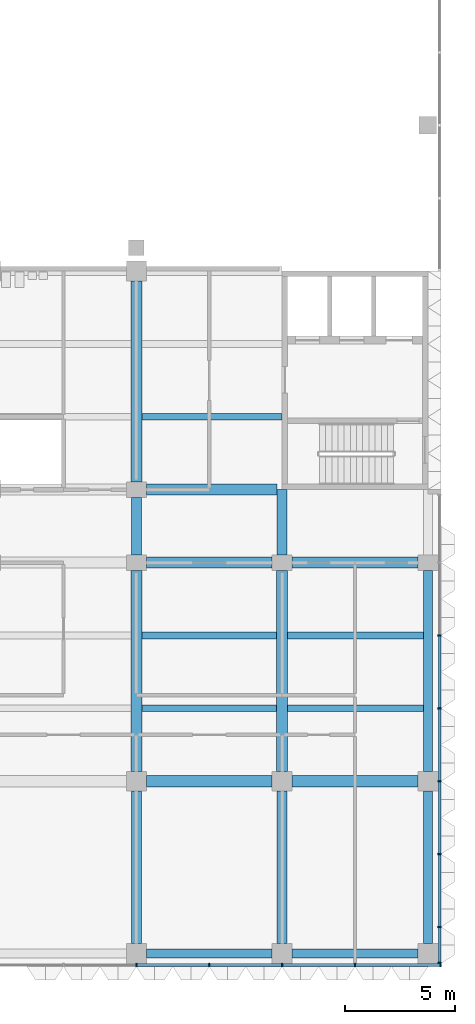
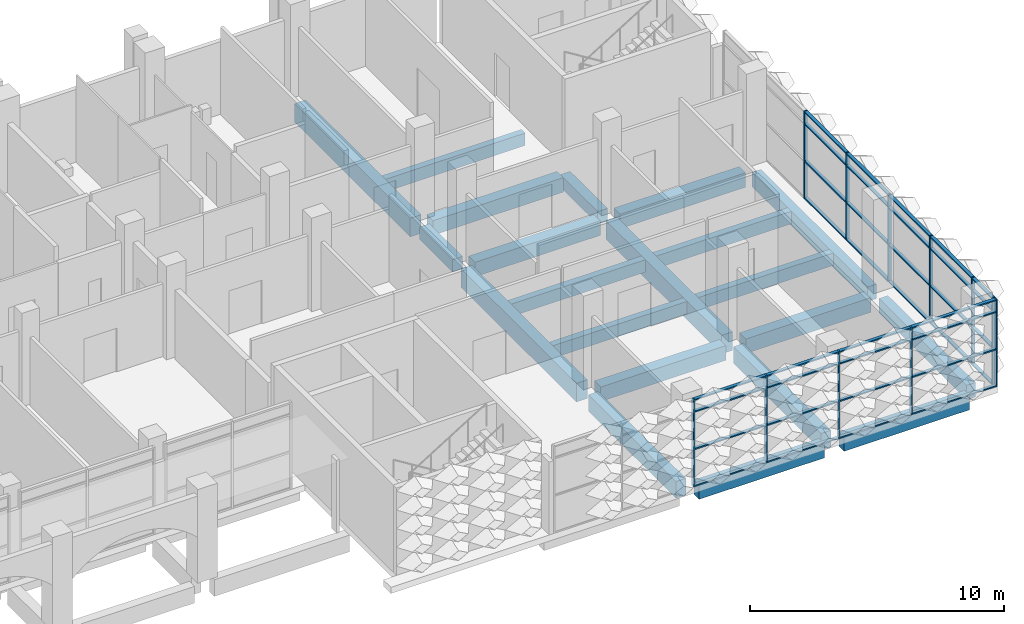
# One storey, part 13 of 87: 47 members, 21 beams, 2 elements without a shape of their own.
"""IFC4 building model written with IfcOpenShell, lengths in metres."""

from ifc_helpers import new_model, si_unit, direction, frame, origin, origin_2d, place, context, subcontext, project, spatial, rectangle, extrude, material, material_profile, profile_set, type_object, element, aggregate, save


model = new_model("IFC4")

# Units and contexts
model_context = context("Model", 3, precision=1e-05, world=origin(), true_north=direction((0.0, 1.0)))
body_context = subcontext(model_context, "Body", "Model", "MODEL_VIEW")
ifc_project = project(units=[si_unit("LENGTHUNIT", "METRE"), si_unit("AREAUNIT", "SQUARE_METRE"), si_unit("VOLUMEUNIT", "CUBIC_METRE"), si_unit("PLANEANGLEUNIT", "RADIAN"), si_unit("MASSUNIT", "GRAM", prefix="KILO")], contexts=[model_context])

# Site, building, storey
site_placement = place(None, origin())
site = spatial("IfcSite", under=ifc_project, at=site_placement, CompositionType="ELEMENT")
building_placement = place(site_placement, origin())
building = spatial("IfcBuilding", under=site, at=building_placement, Name="Lantern Court Research Institute", CompositionType="ELEMENT")
storey_placement = place(building_placement, frame((0.0, 0.0, 5.39990234375)))
storey = spatial("IfcBuildingStorey", under=building, at=storey_placement, Name="L01", CompositionType="ELEMENT", Elevation=5.39990234375)

# Curtain wall, members
ifc_material_1 = material(Name="Aluminium alloy 6063-T6", Category="aluminium")
curtain_wall_type_1 = type_object("IfcCurtainWallType", Name="Curtain wall 21250 x 4200 x 150 aluminium frame", PredefinedType="NOTDEFINED", material=ifc_material_1)
curtain_wall_1_placement = place(storey_placement, origin())
curtain_wall_1 = element("IfcCurtainWall", 1, at=curtain_wall_1_placement, inside=storey, type_object=curtain_wall_type_1, Name="Curtain wall CW032", PredefinedType="NOTDEFINED")
ifc_material_2 = material(Name="Aluminium alloy 6063-T6", Category="aluminium")
ifc_material_profile_1 = material_profile(ifc_material_2, rectangle(XDim=0.14990234375, YDim=0.06005859375, at=origin_2d()), Name="Mullion 150 x 60")
ifc_profile_set_1 = profile_set([ifc_material_profile_1], Name="Aluminium alloy 6063-T6")
member_type_1 = type_object("IfcMemberType", Name="Mullion 150 x 60 aluminium", PredefinedType="MULLION", material=ifc_profile_set_1)
member_1_placement = place(storey_placement, frame((79.72509765625, -8.219970703125, 0.0), z_axis=(0.0, 0.0, 1.0), x_axis=(1.0, 0.0, 0.0)))
member_1 = element("IfcMember", 2, at=member_1_placement, type_object=member_type_1, Name="CW032 mullion 1", PredefinedType="MULLION", context=body_context, shape_type="SweptSolid", body=[
    extrude(rectangle(XDim=0.14990234375, YDim=0.06005859375, at=origin_2d()), origin(), (0.0, 0.0, 1.0), 4.2001953125),
])
member_2_placement = place(storey_placement, frame((79.72509765625, -6.60009765625, 0.0), z_axis=(0.0, 0.0, 1.0), x_axis=(1.0, 0.0, 0.0)))
member_2 = element("IfcMember", 3, at=member_2_placement, type_object=member_type_1, Name="CW032 mullion 2", PredefinedType="MULLION", context=body_context, shape_type="SweptSolid", body=[
    extrude(rectangle(XDim=0.14990234375, YDim=0.06005859375, at=origin_2d()), origin(), (0.0, 0.0, 1.0), 4.2001953125),
])
member_3_placement = place(storey_placement, frame((79.72509765625, -3.300048828125, 0.0), z_axis=(0.0, 0.0, 1.0), x_axis=(1.0, 0.0, 0.0)))
member_3 = element("IfcMember", 4, at=member_3_placement, type_object=member_type_1, Name="CW032 mullion 3", PredefinedType="MULLION", context=body_context, shape_type="SweptSolid", body=[
    extrude(rectangle(XDim=0.14990234375, YDim=0.06005859375, at=origin_2d()), origin(), (0.0, 0.0, 1.0), 4.2001953125),
])
member_4_placement = place(storey_placement, frame((79.72509765625, 0.0, 0.0), z_axis=(0.0, 0.0, 1.0), x_axis=(1.0, 0.0, 0.0)))
member_4 = element("IfcMember", 5, at=member_4_placement, type_object=member_type_1, Name="CW032 mullion 4", PredefinedType="MULLION", context=body_context, shape_type="SweptSolid", body=[
    extrude(rectangle(XDim=0.14990234375, YDim=0.06005859375, at=origin_2d()), origin(), (0.0, 0.0, 1.0), 4.2001953125),
])
member_5_placement = place(storey_placement, frame((79.72509765625, 3.300048828125, 0.0), z_axis=(0.0, 0.0, 1.0), x_axis=(1.0, 0.0, 0.0)))
member_5 = element("IfcMember", 6, at=member_5_placement, type_object=member_type_1, Name="CW032 mullion 5", PredefinedType="MULLION", context=body_context, shape_type="SweptSolid", body=[
    extrude(rectangle(XDim=0.14990234375, YDim=0.06005859375, at=origin_2d()), origin(), (0.0, 0.0, 1.0), 4.2001953125),
])
member_6_placement = place(storey_placement, frame((79.72509765625, 6.60009765625, 0.0), z_axis=(0.0, 0.0, 1.0), x_axis=(1.0, 0.0, 0.0)))
member_6 = element("IfcMember", 7, at=member_6_placement, type_object=member_type_1, Name="CW032 mullion 6", PredefinedType="MULLION", context=body_context, shape_type="SweptSolid", body=[
    extrude(rectangle(XDim=0.14990234375, YDim=0.06005859375, at=origin_2d()), origin(), (0.0, 0.0, 1.0), 4.2001953125),
])

ifc_material_3 = material(Name="Aluminium alloy 6063-T6", Category="aluminium")
curtain_wall_type_2 = type_object("IfcCurtainWallType", Name="Curtain wall 20200 x 4200 x 150 aluminium frame", PredefinedType="NOTDEFINED", material=ifc_material_3)
curtain_wall_2_placement = place(storey_placement, origin())
curtain_wall_2 = element("IfcCurtainWall", 8, at=curtain_wall_2_placement, inside=storey, type_object=curtain_wall_type_2, Name="Curtain wall CW033", PredefinedType="NOTDEFINED")
member_7_placement = place(storey_placement, frame((66.0, -8.324951171875, 0.0), z_axis=(0.0, 0.0, 1.0), x_axis=(0.0, -1.0, 0.0)))
member_7 = element("IfcMember", 9, at=member_7_placement, type_object=member_type_1, Name="CW033 mullion 3", PredefinedType="MULLION", context=body_context, shape_type="SweptSolid", body=[
    extrude(rectangle(XDim=0.14990234375, YDim=0.06005859375, at=origin_2d()), origin(), (0.0, 0.0, 1.0), 4.2001953125),
])
member_8_placement = place(storey_placement, frame((69.300048828125, -8.324951171875, 0.0), z_axis=(0.0, 0.0, 1.0), x_axis=(0.0, -1.0, 0.0)))
member_8 = element("IfcMember", 10, at=member_8_placement, type_object=member_type_1, Name="CW033 mullion 4", PredefinedType="MULLION", context=body_context, shape_type="SweptSolid", body=[
    extrude(rectangle(XDim=0.14990234375, YDim=0.06005859375, at=origin_2d()), origin(), (0.0, 0.0, 1.0), 4.2001953125),
])
member_9_placement = place(storey_placement, frame((72.60009765625, -8.324951171875, 0.0), z_axis=(0.0, 0.0, 1.0), x_axis=(0.0, -1.0, 0.0)))
member_9 = element("IfcMember", 11, at=member_9_placement, type_object=member_type_1, Name="CW033 mullion 5", PredefinedType="MULLION", context=body_context, shape_type="SweptSolid", body=[
    extrude(rectangle(XDim=0.14990234375, YDim=0.06005859375, at=origin_2d()), origin(), (0.0, 0.0, 1.0), 4.2001953125),
])
member_10_placement = place(storey_placement, frame((75.89990234375, -8.324951171875, 0.0), z_axis=(0.0, 0.0, 1.0), x_axis=(0.0, -1.0, 0.0)))
member_10 = element("IfcMember", 12, at=member_10_placement, type_object=member_type_1, Name="CW033 mullion 6", PredefinedType="MULLION", context=body_context, shape_type="SweptSolid", body=[
    extrude(rectangle(XDim=0.14990234375, YDim=0.06005859375, at=origin_2d()), origin(), (0.0, 0.0, 1.0), 4.2001953125),
])
member_11_placement = place(storey_placement, frame((79.77001953125, -8.324951171875, 0.0), z_axis=(0.0, 0.0, 1.0), x_axis=(0.0, -1.0, 0.0)))
member_11 = element("IfcMember", 13, at=member_11_placement, type_object=member_type_1, Name="CW033 mullion 7", PredefinedType="MULLION", context=body_context, shape_type="SweptSolid", body=[
    extrude(rectangle(XDim=0.14990234375, YDim=0.06005859375, at=origin_2d()), origin(), (0.0, 0.0, 1.0), 4.2001953125),
])

# Beams
ifc_material_4 = material(Name="Concrete C40/50", Category="concrete")
ifc_material_profile_2 = material_profile(ifc_material_4, rectangle(XDim=0.5, YDim=0.699951171875, at=origin_2d()), Name="RC beam 500 x 700")
ifc_profile_set_2 = profile_set([ifc_material_profile_2], Name="Concrete C40/50")
beam_type_1 = type_object("IfcBeamType", Name="RC beam 500 x 700", PredefinedType="BEAM", material=ifc_profile_set_2)
for number, where, z_axis, x_axis, name in (
    (14, (66.449951171875, 0.0, -0.64990234375), (1.0, 0.0, 0.0), (0.0, 1.0, 0.0), "Beam L01 grid A/11-12"),
    (15, (73.050048828125, 0.0, -0.64990234375), (1.0, 0.0, 0.0), (0.0, 1.0, 0.0), "Beam L01 grid A/12-13"),
    (16, (66.449951171875, 9.89990234375, -0.64990234375), (1.0, 0.0, 0.0), (0.0, 1.0, 0.0), "Beam L01 grid B/11-12"),
    (17, (73.050048828125, 9.89990234375, -0.64990234375), (1.0, 0.0, 0.0), (0.0, 1.0, 0.0), "Beam L01 grid B/12-13"),
):
    element("IfcBeam", number, at=place(storey_placement, frame(where, z_axis=z_axis, x_axis=x_axis)), inside=storey, type_object=beam_type_1, Name=name, PredefinedType="BEAM", context=body_context, shape_type="SweptSolid", body=[
        extrude(rectangle(XDim=0.5, YDim=0.699951171875, at=origin_2d()), origin(), (0.0, 0.0, 1.0), 5.699951171875),
    ])
beam_1_placement = place(storey_placement, frame((66.449951171875, 13.199951171875, -0.64990234375), z_axis=(1.0, 0.0, 0.0), x_axis=(0.0, 1.0, 0.0)))
element("IfcBeam", 18, at=beam_1_placement, inside=storey, type_object=beam_type_1, Name="Beam L01 grid C/11-12", PredefinedType="BEAM", context=body_context, shape_type="SweptSolid", body=[
    extrude(rectangle(XDim=0.5, YDim=0.699951171875, at=origin_2d()), origin(), (0.0, 0.0, 1.0), 5.925048828125),
])
ifc_material_5 = material(Name="Concrete C40/50", Category="concrete")
ifc_material_profile_3 = material_profile(ifc_material_5, rectangle(XDim=0.39990234375, YDim=0.699951171875, at=origin_2d()), Name="RC beam 400 x 700")
ifc_profile_set_3 = profile_set([ifc_material_profile_3], Name="Concrete C40/50")
beam_type_2 = type_object("IfcBeamType", Name="RC edge beam 400 x 700", PredefinedType="BEAM", material=ifc_profile_set_3)
beam_2_placement = place(storey_placement, frame((79.199951171875, -7.35009765625, -0.64990234375), z_axis=(0.0, 1.0, 0.0), x_axis=(-1.0, 0.0, 0.0)))
element("IfcBeam", 19, at=beam_2_placement, inside=storey, type_object=beam_type_2, Name="Edge beam L01 grid 13/Z-A", PredefinedType="BEAM", context=body_context, shape_type="SweptSolid", body=[
    extrude(rectangle(XDim=0.39990234375, YDim=0.699951171875, at=origin_2d()), origin(), (0.0, 0.0, 1.0), 6.900146484375),
])
beam_3_placement = place(storey_placement, frame((79.199951171875, 0.449951171875, -0.64990234375), z_axis=(0.0, 1.0, 0.0), x_axis=(-1.0, 0.0, 0.0)))
element("IfcBeam", 20, at=beam_3_placement, inside=storey, type_object=beam_type_2, Name="Edge beam L01 grid 13/A-B", PredefinedType="BEAM", context=body_context, shape_type="SweptSolid", body=[
    extrude(rectangle(XDim=0.39990234375, YDim=0.699951171875, at=origin_2d()), origin(), (0.0, 0.0, 1.0), 9.10009765625),
])
for number, where, z_axis, x_axis, name in (
    (21, (66.449951171875, -7.800048828125, -0.64990234375), (1.0, 0.0, 0.0), (0.0, 1.0, 0.0), "Edge beam L01 grid Z/11-12"),
    (22, (73.050048828125, -7.800048828125, -0.64990234375), (1.0, 0.0, 0.0), (0.0, 1.0, 0.0), "Edge beam L01 grid Z/12-13"),
):
    element("IfcBeam", number, at=place(storey_placement, frame(where, z_axis=z_axis, x_axis=x_axis)), inside=storey, type_object=beam_type_2, Name=name, PredefinedType="BEAM", context=body_context, shape_type="SweptSolid", body=[
        extrude(rectangle(XDim=0.39990234375, YDim=0.699951171875, at=origin_2d()), origin(), (0.0, 0.0, 1.0), 5.699951171875),
    ])
ifc_material_6 = material(Name="Concrete C40/50", Category="concrete")
ifc_material_profile_4 = material_profile(ifc_material_6, rectangle(XDim=0.449951171875, YDim=0.800048828125, at=origin_2d()), Name="RC beam 450 x 800")
ifc_profile_set_4 = profile_set([ifc_material_profile_4], Name="Concrete C40/50")
beam_type_3 = type_object("IfcBeamType", Name="RC girder 450 x 800", PredefinedType="BEAM", material=ifc_profile_set_4)
for number, where, z_axis, x_axis, name in (
    (23, (66.0, -7.35009765625, -0.699951171875), (0.0, 1.0, 0.0), (-1.0, 0.0, 0.0), "Girder L01 grid 11/Z-A"),
    (24, (72.60009765625, -7.35009765625, -0.699951171875), (0.0, 1.0, 0.0), (-1.0, 0.0, 0.0), "Girder L01 grid 12/Z-A"),
):
    element("IfcBeam", number, at=place(storey_placement, frame(where, z_axis=z_axis, x_axis=x_axis)), inside=storey, type_object=beam_type_3, Name=name, PredefinedType="BEAM", context=body_context, shape_type="SweptSolid", body=[
        extrude(rectangle(XDim=0.449951171875, YDim=0.800048828125, at=origin_2d()), origin(), (0.0, 0.0, 1.0), 6.900146484375),
    ])
ifc_material_7 = material(Name="Concrete C40/50", Category="concrete")
ifc_material_profile_5 = material_profile(ifc_material_7, rectangle(XDim=0.5, YDim=0.89990234375, at=origin_2d()), Name="RC beam 500 x 900")
ifc_profile_set_5 = profile_set([ifc_material_profile_5], Name="Concrete C40/50")
beam_type_4 = type_object("IfcBeamType", Name="RC girder 500 x 900", PredefinedType="BEAM", material=ifc_profile_set_5)
beam_4_placement = place(storey_placement, frame((66.0, 0.449951171875, -0.75), z_axis=(0.0, 1.0, 0.0), x_axis=(-1.0, 0.0, 0.0)))
element("IfcBeam", 25, at=beam_4_placement, inside=storey, type_object=beam_type_4, Name="Girder L01 grid 11/A-B", PredefinedType="BEAM", context=body_context, shape_type="SweptSolid", body=[
    extrude(rectangle(XDim=0.5, YDim=0.89990234375, at=origin_2d()), origin(), (0.0, 0.0, 1.0), 9.10009765625),
])
beam_5_placement = place(storey_placement, frame((66.0, 13.550048828125, -0.75), z_axis=(0.0, 1.0, 0.0), x_axis=(-1.0, 0.0, 0.0)))
element("IfcBeam", 26, at=beam_5_placement, inside=storey, type_object=beam_type_4, Name="Girder L01 grid 11/C-D", PredefinedType="BEAM", context=body_context, shape_type="SweptSolid", body=[
    extrude(rectangle(XDim=0.5, YDim=0.89990234375, at=origin_2d()), origin(), (0.0, 0.0, 1.0), 9.099853515625),
])
beam_6_placement = place(storey_placement, frame((72.60009765625, 0.449951171875, -0.75), z_axis=(0.0, 1.0, 0.0), x_axis=(-1.0, 0.0, 0.0)))
element("IfcBeam", 27, at=beam_6_placement, inside=storey, type_object=beam_type_4, Name="Girder L01 grid 12/A-B", PredefinedType="BEAM", context=body_context, shape_type="SweptSolid", body=[
    extrude(rectangle(XDim=0.5, YDim=0.89990234375, at=origin_2d()), origin(), (0.0, 0.0, 1.0), 9.10009765625),
])
ifc_material_8 = material(Name="Concrete C40/50", Category="concrete")
ifc_material_profile_6 = material_profile(ifc_material_8, rectangle(XDim=0.300048828125, YDim=0.60009765625, at=origin_2d()), Name="RC beam 300 x 600")
ifc_profile_set_6 = profile_set([ifc_material_profile_6], Name="Concrete C40/50")
beam_type_5 = type_object("IfcBeamType", Name="RC secondary beam 300 x 600", PredefinedType="BEAM", material=ifc_profile_set_6)
beam_7_placement = place(storey_placement, frame((66.25, 3.300048828125, -0.599853515625), z_axis=(1.0, 0.0, 0.0), x_axis=(0.0, 1.0, 0.0)))
element("IfcBeam", 28, at=beam_7_placement, inside=storey, type_object=beam_type_5, Name="Secondary beam L01 grids 11-12 / A-B, line 1", PredefinedType="BEAM", context=body_context, shape_type="SweptSolid", body=[
    extrude(rectangle(XDim=0.300048828125, YDim=0.60009765625, at=origin_2d()), origin(), (0.0, 0.0, 1.0), 6.10009765625),
])
beam_8_placement = place(storey_placement, frame((72.85009765625, 3.300048828125, -0.599853515625), z_axis=(1.0, 0.0, 0.0), x_axis=(0.0, 1.0, 0.0)))
element("IfcBeam", 29, at=beam_8_placement, inside=storey, type_object=beam_type_5, Name="Secondary beam L01 grids 12-13 / A-B, line 1", PredefinedType="BEAM", context=body_context, shape_type="SweptSolid", body=[
    extrude(rectangle(XDim=0.300048828125, YDim=0.60009765625, at=origin_2d()), origin(), (0.0, 0.0, 1.0), 6.14990234375),
])
beam_9_placement = place(storey_placement, frame((66.25, 6.60009765625, -0.599853515625), z_axis=(1.0, 0.0, 0.0), x_axis=(0.0, 1.0, 0.0)))
element("IfcBeam", 30, at=beam_9_placement, inside=storey, type_object=beam_type_5, Name="Secondary beam L01 grids 11-12 / A-B, line 2", PredefinedType="BEAM", context=body_context, shape_type="SweptSolid", body=[
    extrude(rectangle(XDim=0.300048828125, YDim=0.60009765625, at=origin_2d()), origin(), (0.0, 0.0, 1.0), 6.10009765625),
])
beam_10_placement = place(storey_placement, frame((72.85009765625, 6.60009765625, -0.599853515625), z_axis=(1.0, 0.0, 0.0), x_axis=(0.0, 1.0, 0.0)))
element("IfcBeam", 31, at=beam_10_placement, inside=storey, type_object=beam_type_5, Name="Secondary beam L01 grids 12-13 / A-B, line 2", PredefinedType="BEAM", context=body_context, shape_type="SweptSolid", body=[
    extrude(rectangle(XDim=0.300048828125, YDim=0.60009765625, at=origin_2d()), origin(), (0.0, 0.0, 1.0), 6.14990234375),
])
beam_11_placement = place(storey_placement, frame((66.25, 16.5, -0.599853515625), z_axis=(1.0, 0.0, 0.0), x_axis=(0.0, 1.0, 0.0)))
element("IfcBeam", 32, at=beam_11_placement, inside=storey, type_object=beam_type_5, Name="Secondary beam L01 grids 11-12 / C-D, line 1", PredefinedType="BEAM", context=body_context, shape_type="SweptSolid", body=[
    extrude(rectangle(XDim=0.300048828125, YDim=0.60009765625, at=origin_2d()), origin(), (0.0, 0.0, 1.0), 6.35009765625),
])
ifc_material_9 = material(Name="Concrete C40/50", Category="concrete")
ifc_material_profile_7 = material_profile(ifc_material_9, rectangle(XDim=0.449951171875, YDim=0.60009765625, at=origin_2d()), Name="RC beam 450 x 600")
ifc_profile_set_7 = profile_set([ifc_material_profile_7], Name="Concrete C40/50")
beam_type_6 = type_object("IfcBeamType", Name="RC spine beam 450 x 600", PredefinedType="BEAM", material=ifc_profile_set_7)
beam_12_placement = place(storey_placement, frame((66.0, 10.25, -0.599853515625), z_axis=(0.0, 1.0, 0.0), x_axis=(-1.0, 0.0, 0.0)))
element("IfcBeam", 33, at=beam_12_placement, inside=storey, type_object=beam_type_6, Name="Beam L01 grid 11/B-C", PredefinedType="BEAM", context=body_context, shape_type="SweptSolid", body=[
    extrude(rectangle(XDim=0.449951171875, YDim=0.60009765625, at=origin_2d()), origin(), (0.0, 0.0, 1.0), 2.60009765625),
])
beam_13_placement = place(storey_placement, frame((72.60009765625, 10.25, -0.599853515625), z_axis=(0.0, 1.0, 0.0), x_axis=(-1.0, 0.0, 0.0)))
element("IfcBeam", 34, at=beam_13_placement, inside=storey, type_object=beam_type_6, Name="Beam L01 grid 12/B-C", PredefinedType="BEAM", context=body_context, shape_type="SweptSolid", body=[
    extrude(rectangle(XDim=0.449951171875, YDim=0.60009765625, at=origin_2d()), origin(), (0.0, 0.0, 1.0), 2.949951171875),
])

# Member
ifc_material_10 = material(Name="Aluminium alloy 6063-T6", Category="aluminium")
ifc_material_profile_8 = material_profile(ifc_material_10, rectangle(XDim=0.14990234375, YDim=0.06005859375, at=origin_2d()), Name="Transom 150 x 60")
ifc_profile_set_8 = profile_set([ifc_material_profile_8], Name="Aluminium alloy 6063-T6")
member_type_2 = type_object("IfcMemberType", Name="Transom 150 x 60 aluminium", PredefinedType="USERDEFINED", material=ifc_profile_set_8)
member_12_placement = place(storey_placement, frame((79.72509765625, -6.6298828125, 0.030029296875), z_axis=(0.0, -1.0, 0.0), x_axis=(1.0, 0.0, 0.0)))
member_12 = element("IfcMember", 35, at=member_12_placement, type_object=member_type_2, Name="CW032 transom 1.1", ObjectType="TRANSOM", PredefinedType="USERDEFINED", context=body_context, shape_type="SweptSolid", body=[
    extrude(rectangle(XDim=0.14990234375, YDim=0.06005859375, at=origin_2d()), origin(), (0.0, 0.0, 1.0), 1.56005859375),
])

member_13_placement = place(storey_placement, frame((79.72509765625, -6.6298828125, 1.800048828125), z_axis=(0.0, -1.0, 0.0), x_axis=(1.0, 0.0, 0.0)))
member_13 = element("IfcMember", 36, at=member_13_placement, type_object=member_type_2, Name="CW032 transom 1.2", ObjectType="TRANSOM", PredefinedType="USERDEFINED", context=body_context, shape_type="SweptSolid", body=[
    extrude(rectangle(XDim=0.14990234375, YDim=0.06005859375, at=origin_2d()), origin(), (0.0, 0.0, 1.0), 1.56005859375),
])

member_14_placement = place(storey_placement, frame((79.72509765625, -6.6298828125, 3.60009765625), z_axis=(0.0, -1.0, 0.0), x_axis=(1.0, 0.0, 0.0)))
member_14 = element("IfcMember", 37, at=member_14_placement, type_object=member_type_2, Name="CW032 transom 1.3", ObjectType="TRANSOM", PredefinedType="USERDEFINED", context=body_context, shape_type="SweptSolid", body=[
    extrude(rectangle(XDim=0.14990234375, YDim=0.06005859375, at=origin_2d()), origin(), (0.0, 0.0, 1.0), 1.56005859375),
])

member_15_placement = place(storey_placement, frame((79.72509765625, -6.6298828125, 4.170166015625), z_axis=(0.0, -1.0, 0.0), x_axis=(1.0, 0.0, 0.0)))
member_15 = element("IfcMember", 38, at=member_15_placement, type_object=member_type_2, Name="CW032 transom 1.4", ObjectType="TRANSOM", PredefinedType="USERDEFINED", context=body_context, shape_type="SweptSolid", body=[
    extrude(rectangle(XDim=0.14990234375, YDim=0.06005859375, at=origin_2d()), origin(), (0.0, 0.0, 1.0), 1.56005859375),
])

member_16_placement = place(storey_placement, frame((79.72509765625, -3.330078125, 0.030029296875), z_axis=(0.0, -1.0, 0.0), x_axis=(1.0, 0.0, 0.0)))
member_16 = element("IfcMember", 39, at=member_16_placement, type_object=member_type_2, Name="CW032 transom 2.1", ObjectType="TRANSOM", PredefinedType="USERDEFINED", context=body_context, shape_type="SweptSolid", body=[
    extrude(rectangle(XDim=0.14990234375, YDim=0.06005859375, at=origin_2d()), origin(), (0.0, 0.0, 1.0), 3.239990234375),
])

member_17_placement = place(storey_placement, frame((79.72509765625, -3.330078125, 1.800048828125), z_axis=(0.0, -1.0, 0.0), x_axis=(1.0, 0.0, 0.0)))
member_17 = element("IfcMember", 40, at=member_17_placement, type_object=member_type_2, Name="CW032 transom 2.2", ObjectType="TRANSOM", PredefinedType="USERDEFINED", context=body_context, shape_type="SweptSolid", body=[
    extrude(rectangle(XDim=0.14990234375, YDim=0.06005859375, at=origin_2d()), origin(), (0.0, 0.0, 1.0), 3.239990234375),
])

member_18_placement = place(storey_placement, frame((79.72509765625, -3.330078125, 3.60009765625), z_axis=(0.0, -1.0, 0.0), x_axis=(1.0, 0.0, 0.0)))
member_18 = element("IfcMember", 41, at=member_18_placement, type_object=member_type_2, Name="CW032 transom 2.3", ObjectType="TRANSOM", PredefinedType="USERDEFINED", context=body_context, shape_type="SweptSolid", body=[
    extrude(rectangle(XDim=0.14990234375, YDim=0.06005859375, at=origin_2d()), origin(), (0.0, 0.0, 1.0), 3.239990234375),
])

member_19_placement = place(storey_placement, frame((79.72509765625, -3.330078125, 4.170166015625), z_axis=(0.0, -1.0, 0.0), x_axis=(1.0, 0.0, 0.0)))
member_19 = element("IfcMember", 42, at=member_19_placement, type_object=member_type_2, Name="CW032 transom 2.4", ObjectType="TRANSOM", PredefinedType="USERDEFINED", context=body_context, shape_type="SweptSolid", body=[
    extrude(rectangle(XDim=0.14990234375, YDim=0.06005859375, at=origin_2d()), origin(), (0.0, 0.0, 1.0), 3.239990234375),
])

member_20_placement = place(storey_placement, frame((79.72509765625, -0.030029296875, 0.030029296875), z_axis=(0.0, -1.0, 0.0), x_axis=(1.0, 0.0, 0.0)))
member_20 = element("IfcMember", 43, at=member_20_placement, type_object=member_type_2, Name="CW032 transom 3.1", ObjectType="TRANSOM", PredefinedType="USERDEFINED", context=body_context, shape_type="SweptSolid", body=[
    extrude(rectangle(XDim=0.14990234375, YDim=0.06005859375, at=origin_2d()), origin(), (0.0, 0.0, 1.0), 3.239990234375),
])

member_21_placement = place(storey_placement, frame((79.72509765625, -0.030029296875, 1.800048828125), z_axis=(0.0, -1.0, 0.0), x_axis=(1.0, 0.0, 0.0)))
member_21 = element("IfcMember", 44, at=member_21_placement, type_object=member_type_2, Name="CW032 transom 3.2", ObjectType="TRANSOM", PredefinedType="USERDEFINED", context=body_context, shape_type="SweptSolid", body=[
    extrude(rectangle(XDim=0.14990234375, YDim=0.06005859375, at=origin_2d()), origin(), (0.0, 0.0, 1.0), 3.239990234375),
])

member_22_placement = place(storey_placement, frame((79.72509765625, -0.030029296875, 3.60009765625), z_axis=(0.0, -1.0, 0.0), x_axis=(1.0, 0.0, 0.0)))
member_22 = element("IfcMember", 45, at=member_22_placement, type_object=member_type_2, Name="CW032 transom 3.3", ObjectType="TRANSOM", PredefinedType="USERDEFINED", context=body_context, shape_type="SweptSolid", body=[
    extrude(rectangle(XDim=0.14990234375, YDim=0.06005859375, at=origin_2d()), origin(), (0.0, 0.0, 1.0), 3.239990234375),
])

member_23_placement = place(storey_placement, frame((79.72509765625, -0.030029296875, 4.170166015625), z_axis=(0.0, -1.0, 0.0), x_axis=(1.0, 0.0, 0.0)))
member_23 = element("IfcMember", 46, at=member_23_placement, type_object=member_type_2, Name="CW032 transom 3.4", ObjectType="TRANSOM", PredefinedType="USERDEFINED", context=body_context, shape_type="SweptSolid", body=[
    extrude(rectangle(XDim=0.14990234375, YDim=0.06005859375, at=origin_2d()), origin(), (0.0, 0.0, 1.0), 3.239990234375),
])

member_24_placement = place(storey_placement, frame((79.72509765625, 3.27001953125, 0.030029296875), z_axis=(0.0, -1.0, 0.0), x_axis=(1.0, 0.0, 0.0)))
member_24 = element("IfcMember", 47, at=member_24_placement, type_object=member_type_2, Name="CW032 transom 4.1", ObjectType="TRANSOM", PredefinedType="USERDEFINED", context=body_context, shape_type="SweptSolid", body=[
    extrude(rectangle(XDim=0.14990234375, YDim=0.06005859375, at=origin_2d()), origin(), (0.0, 0.0, 1.0), 3.239990234375),
])

member_25_placement = place(storey_placement, frame((79.72509765625, 3.27001953125, 1.800048828125), z_axis=(0.0, -1.0, 0.0), x_axis=(1.0, 0.0, 0.0)))
member_25 = element("IfcMember", 48, at=member_25_placement, type_object=member_type_2, Name="CW032 transom 4.2", ObjectType="TRANSOM", PredefinedType="USERDEFINED", context=body_context, shape_type="SweptSolid", body=[
    extrude(rectangle(XDim=0.14990234375, YDim=0.06005859375, at=origin_2d()), origin(), (0.0, 0.0, 1.0), 3.239990234375),
])

member_26_placement = place(storey_placement, frame((79.72509765625, 3.27001953125, 3.60009765625), z_axis=(0.0, -1.0, 0.0), x_axis=(1.0, 0.0, 0.0)))
member_26 = element("IfcMember", 49, at=member_26_placement, type_object=member_type_2, Name="CW032 transom 4.3", ObjectType="TRANSOM", PredefinedType="USERDEFINED", context=body_context, shape_type="SweptSolid", body=[
    extrude(rectangle(XDim=0.14990234375, YDim=0.06005859375, at=origin_2d()), origin(), (0.0, 0.0, 1.0), 3.239990234375),
])

member_27_placement = place(storey_placement, frame((79.72509765625, 3.27001953125, 4.170166015625), z_axis=(0.0, -1.0, 0.0), x_axis=(1.0, 0.0, 0.0)))
member_27 = element("IfcMember", 50, at=member_27_placement, type_object=member_type_2, Name="CW032 transom 4.4", ObjectType="TRANSOM", PredefinedType="USERDEFINED", context=body_context, shape_type="SweptSolid", body=[
    extrude(rectangle(XDim=0.14990234375, YDim=0.06005859375, at=origin_2d()), origin(), (0.0, 0.0, 1.0), 3.239990234375),
])

member_28_placement = place(storey_placement, frame((79.72509765625, 6.570068359375, 0.030029296875), z_axis=(0.0, -1.0, 0.0), x_axis=(1.0, 0.0, 0.0)))
member_28 = element("IfcMember", 51, at=member_28_placement, type_object=member_type_2, Name="CW032 transom 5.1", ObjectType="TRANSOM", PredefinedType="USERDEFINED", context=body_context, shape_type="SweptSolid", body=[
    extrude(rectangle(XDim=0.14990234375, YDim=0.06005859375, at=origin_2d()), origin(), (0.0, 0.0, 1.0), 3.239990234375),
])

member_29_placement = place(storey_placement, frame((79.72509765625, 6.570068359375, 1.800048828125), z_axis=(0.0, -1.0, 0.0), x_axis=(1.0, 0.0, 0.0)))
member_29 = element("IfcMember", 52, at=member_29_placement, type_object=member_type_2, Name="CW032 transom 5.2", ObjectType="TRANSOM", PredefinedType="USERDEFINED", context=body_context, shape_type="SweptSolid", body=[
    extrude(rectangle(XDim=0.14990234375, YDim=0.06005859375, at=origin_2d()), origin(), (0.0, 0.0, 1.0), 3.239990234375),
])

member_30_placement = place(storey_placement, frame((79.72509765625, 6.570068359375, 3.60009765625), z_axis=(0.0, -1.0, 0.0), x_axis=(1.0, 0.0, 0.0)))
member_30 = element("IfcMember", 53, at=member_30_placement, type_object=member_type_2, Name="CW032 transom 5.3", ObjectType="TRANSOM", PredefinedType="USERDEFINED", context=body_context, shape_type="SweptSolid", body=[
    extrude(rectangle(XDim=0.14990234375, YDim=0.06005859375, at=origin_2d()), origin(), (0.0, 0.0, 1.0), 3.239990234375),
])

member_31_placement = place(storey_placement, frame((79.72509765625, 6.570068359375, 4.170166015625), z_axis=(0.0, -1.0, 0.0), x_axis=(1.0, 0.0, 0.0)))
member_31 = element("IfcMember", 54, at=member_31_placement, type_object=member_type_2, Name="CW032 transom 5.4", ObjectType="TRANSOM", PredefinedType="USERDEFINED", context=body_context, shape_type="SweptSolid", body=[
    extrude(rectangle(XDim=0.14990234375, YDim=0.06005859375, at=origin_2d()), origin(), (0.0, 0.0, 1.0), 3.239990234375),
])

aggregate(curtain_wall_1, [member_1, member_2, member_3, member_4, member_5, member_6, member_12, member_13, member_14, member_15, member_16, member_17, member_18, member_19, member_20, member_21, member_22, member_23, member_24, member_25, member_26, member_27, member_28, member_29, member_30, member_31])

member_32_placement = place(storey_placement, frame((69.27001953125, -8.324951171875, 0.030029296875), z_axis=(-1.0, 0.0, 0.0), x_axis=(0.0, -1.0, 0.0)))
member_32 = element("IfcMember", 55, at=member_32_placement, type_object=member_type_2, Name="CW033 transom 3.1", ObjectType="TRANSOM", PredefinedType="USERDEFINED", context=body_context, shape_type="SweptSolid", body=[
    extrude(rectangle(XDim=0.14990234375, YDim=0.06005859375, at=origin_2d()), origin(), (0.0, 0.0, 1.0), 3.239990234375),
])

member_33_placement = place(storey_placement, frame((69.27001953125, -8.324951171875, 1.800048828125), z_axis=(-1.0, 0.0, 0.0), x_axis=(0.0, -1.0, 0.0)))
member_33 = element("IfcMember", 56, at=member_33_placement, type_object=member_type_2, Name="CW033 transom 3.2", ObjectType="TRANSOM", PredefinedType="USERDEFINED", context=body_context, shape_type="SweptSolid", body=[
    extrude(rectangle(XDim=0.14990234375, YDim=0.06005859375, at=origin_2d()), origin(), (0.0, 0.0, 1.0), 3.239990234375),
])

member_34_placement = place(storey_placement, frame((69.27001953125, -8.324951171875, 3.60009765625), z_axis=(-1.0, 0.0, 0.0), x_axis=(0.0, -1.0, 0.0)))
member_34 = element("IfcMember", 57, at=member_34_placement, type_object=member_type_2, Name="CW033 transom 3.3", ObjectType="TRANSOM", PredefinedType="USERDEFINED", context=body_context, shape_type="SweptSolid", body=[
    extrude(rectangle(XDim=0.14990234375, YDim=0.06005859375, at=origin_2d()), origin(), (0.0, 0.0, 1.0), 3.239990234375),
])

member_35_placement = place(storey_placement, frame((69.27001953125, -8.324951171875, 4.170166015625), z_axis=(-1.0, 0.0, 0.0), x_axis=(0.0, -1.0, 0.0)))
member_35 = element("IfcMember", 58, at=member_35_placement, type_object=member_type_2, Name="CW033 transom 3.4", ObjectType="TRANSOM", PredefinedType="USERDEFINED", context=body_context, shape_type="SweptSolid", body=[
    extrude(rectangle(XDim=0.14990234375, YDim=0.06005859375, at=origin_2d()), origin(), (0.0, 0.0, 1.0), 3.239990234375),
])

member_36_placement = place(storey_placement, frame((72.570068359375, -8.324951171875, 0.030029296875), z_axis=(-1.0, 0.0, 0.0), x_axis=(0.0, -1.0, 0.0)))
member_36 = element("IfcMember", 59, at=member_36_placement, type_object=member_type_2, Name="CW033 transom 4.1", ObjectType="TRANSOM", PredefinedType="USERDEFINED", context=body_context, shape_type="SweptSolid", body=[
    extrude(rectangle(XDim=0.14990234375, YDim=0.06005859375, at=origin_2d()), origin(), (0.0, 0.0, 1.0), 3.239990234375),
])

member_37_placement = place(storey_placement, frame((72.570068359375, -8.324951171875, 1.800048828125), z_axis=(-1.0, 0.0, 0.0), x_axis=(0.0, -1.0, 0.0)))
member_37 = element("IfcMember", 60, at=member_37_placement, type_object=member_type_2, Name="CW033 transom 4.2", ObjectType="TRANSOM", PredefinedType="USERDEFINED", context=body_context, shape_type="SweptSolid", body=[
    extrude(rectangle(XDim=0.14990234375, YDim=0.06005859375, at=origin_2d()), origin(), (0.0, 0.0, 1.0), 3.239990234375),
])

member_38_placement = place(storey_placement, frame((72.570068359375, -8.324951171875, 3.60009765625), z_axis=(-1.0, 0.0, 0.0), x_axis=(0.0, -1.0, 0.0)))
member_38 = element("IfcMember", 61, at=member_38_placement, type_object=member_type_2, Name="CW033 transom 4.3", ObjectType="TRANSOM", PredefinedType="USERDEFINED", context=body_context, shape_type="SweptSolid", body=[
    extrude(rectangle(XDim=0.14990234375, YDim=0.06005859375, at=origin_2d()), origin(), (0.0, 0.0, 1.0), 3.239990234375),
])

member_39_placement = place(storey_placement, frame((72.570068359375, -8.324951171875, 4.170166015625), z_axis=(-1.0, 0.0, 0.0), x_axis=(0.0, -1.0, 0.0)))
member_39 = element("IfcMember", 62, at=member_39_placement, type_object=member_type_2, Name="CW033 transom 4.4", ObjectType="TRANSOM", PredefinedType="USERDEFINED", context=body_context, shape_type="SweptSolid", body=[
    extrude(rectangle(XDim=0.14990234375, YDim=0.06005859375, at=origin_2d()), origin(), (0.0, 0.0, 1.0), 3.239990234375),
])

member_40_placement = place(storey_placement, frame((75.8701171875, -8.324951171875, 0.030029296875), z_axis=(-1.0, 0.0, 0.0), x_axis=(0.0, -1.0, 0.0)))
member_40 = element("IfcMember", 63, at=member_40_placement, type_object=member_type_2, Name="CW033 transom 5.1", ObjectType="TRANSOM", PredefinedType="USERDEFINED", context=body_context, shape_type="SweptSolid", body=[
    extrude(rectangle(XDim=0.14990234375, YDim=0.06005859375, at=origin_2d()), origin(), (0.0, 0.0, 1.0), 3.240234375),
])

member_41_placement = place(storey_placement, frame((75.8701171875, -8.324951171875, 1.800048828125), z_axis=(-1.0, 0.0, 0.0), x_axis=(0.0, -1.0, 0.0)))
member_41 = element("IfcMember", 64, at=member_41_placement, type_object=member_type_2, Name="CW033 transom 5.2", ObjectType="TRANSOM", PredefinedType="USERDEFINED", context=body_context, shape_type="SweptSolid", body=[
    extrude(rectangle(XDim=0.14990234375, YDim=0.06005859375, at=origin_2d()), origin(), (0.0, 0.0, 1.0), 3.240234375),
])

member_42_placement = place(storey_placement, frame((75.8701171875, -8.324951171875, 3.60009765625), z_axis=(-1.0, 0.0, 0.0), x_axis=(0.0, -1.0, 0.0)))
member_42 = element("IfcMember", 65, at=member_42_placement, type_object=member_type_2, Name="CW033 transom 5.3", ObjectType="TRANSOM", PredefinedType="USERDEFINED", context=body_context, shape_type="SweptSolid", body=[
    extrude(rectangle(XDim=0.14990234375, YDim=0.06005859375, at=origin_2d()), origin(), (0.0, 0.0, 1.0), 3.240234375),
])

member_43_placement = place(storey_placement, frame((75.8701171875, -8.324951171875, 4.170166015625), z_axis=(-1.0, 0.0, 0.0), x_axis=(0.0, -1.0, 0.0)))
member_43 = element("IfcMember", 66, at=member_43_placement, type_object=member_type_2, Name="CW033 transom 5.4", ObjectType="TRANSOM", PredefinedType="USERDEFINED", context=body_context, shape_type="SweptSolid", body=[
    extrude(rectangle(XDim=0.14990234375, YDim=0.06005859375, at=origin_2d()), origin(), (0.0, 0.0, 1.0), 3.240234375),
])

member_44_placement = place(storey_placement, frame((79.739990234375, -8.324951171875, 0.030029296875), z_axis=(-1.0, 0.0, 0.0), x_axis=(0.0, -1.0, 0.0)))
member_44 = element("IfcMember", 67, at=member_44_placement, type_object=member_type_2, Name="CW033 transom 6.1", ObjectType="TRANSOM", PredefinedType="USERDEFINED", context=body_context, shape_type="SweptSolid", body=[
    extrude(rectangle(XDim=0.14990234375, YDim=0.06005859375, at=origin_2d()), origin(), (0.0, 0.0, 1.0), 3.81005859375),
])

member_45_placement = place(storey_placement, frame((79.739990234375, -8.324951171875, 1.800048828125), z_axis=(-1.0, 0.0, 0.0), x_axis=(0.0, -1.0, 0.0)))
member_45 = element("IfcMember", 68, at=member_45_placement, type_object=member_type_2, Name="CW033 transom 6.2", ObjectType="TRANSOM", PredefinedType="USERDEFINED", context=body_context, shape_type="SweptSolid", body=[
    extrude(rectangle(XDim=0.14990234375, YDim=0.06005859375, at=origin_2d()), origin(), (0.0, 0.0, 1.0), 3.81005859375),
])

member_46_placement = place(storey_placement, frame((79.739990234375, -8.324951171875, 3.60009765625), z_axis=(-1.0, 0.0, 0.0), x_axis=(0.0, -1.0, 0.0)))
member_46 = element("IfcMember", 69, at=member_46_placement, type_object=member_type_2, Name="CW033 transom 6.3", ObjectType="TRANSOM", PredefinedType="USERDEFINED", context=body_context, shape_type="SweptSolid", body=[
    extrude(rectangle(XDim=0.14990234375, YDim=0.06005859375, at=origin_2d()), origin(), (0.0, 0.0, 1.0), 3.81005859375),
])

member_47_placement = place(storey_placement, frame((79.739990234375, -8.324951171875, 4.170166015625), z_axis=(-1.0, 0.0, 0.0), x_axis=(0.0, -1.0, 0.0)))
member_47 = element("IfcMember", 70, at=member_47_placement, type_object=member_type_2, Name="CW033 transom 6.4", ObjectType="TRANSOM", PredefinedType="USERDEFINED", context=body_context, shape_type="SweptSolid", body=[
    extrude(rectangle(XDim=0.14990234375, YDim=0.06005859375, at=origin_2d()), origin(), (0.0, 0.0, 1.0), 3.81005859375),
])

aggregate(curtain_wall_2, [member_7, member_8, member_9, member_10, member_11, member_32, member_33, member_34, member_35, member_36, member_37, member_38, member_39, member_40, member_41, member_42, member_43, member_44, member_45, member_46, member_47])

save(model, "model.ifc")
